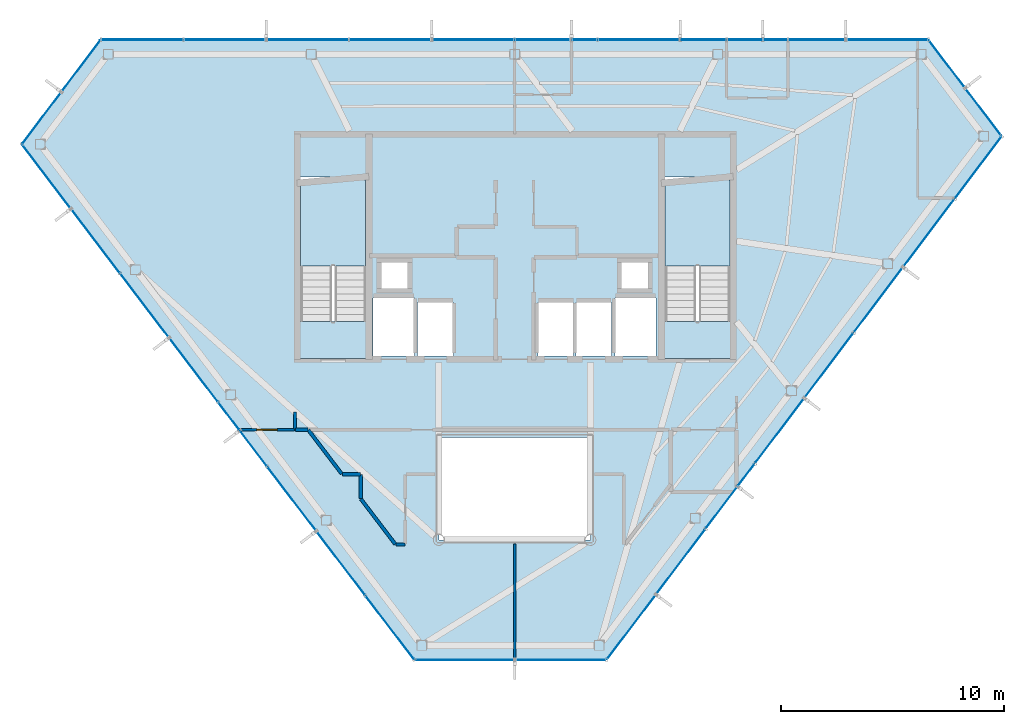
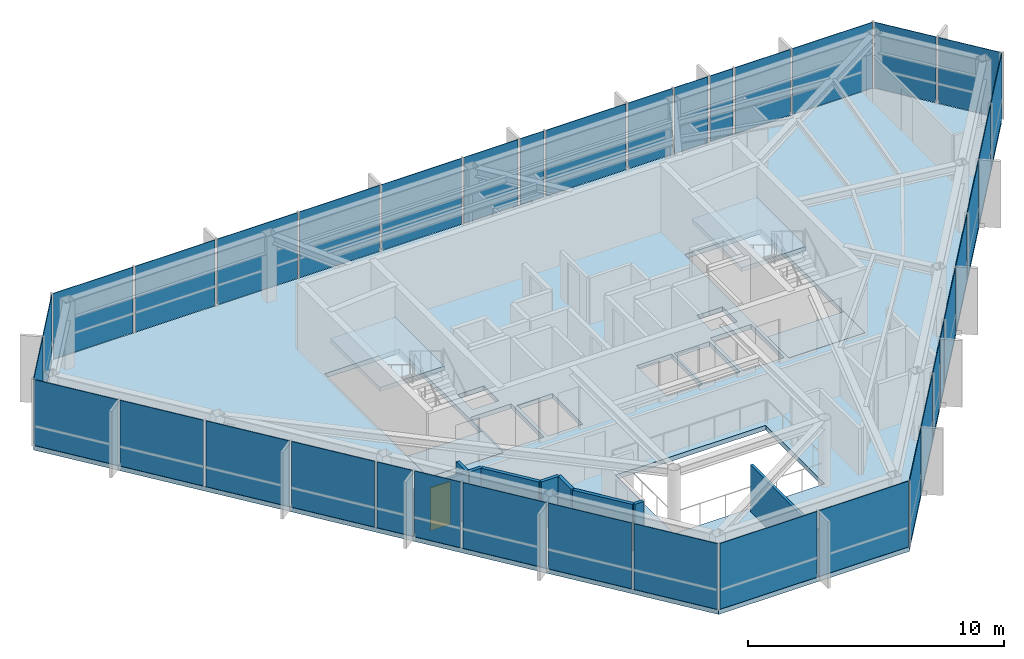
# One storey, part 20 of 23: 37 plates, 9 walls, 5 slabs, 1 door, 1 opening, 8 elements without a shape of their own.
"""IFC4 building model written with IfcOpenShell, lengths in metres."""

from ifc_helpers import new_model, si_unit, direction, frame, frame_2d, origin, origin_2d, place, context, subcontext, project, spatial, polyline, rectangle, outline, extrude, material, layer, layer_set, type_object, element, fill, aggregate, save


model = new_model("IFC4")

# Units and contexts
model_context = context("Model", 3, precision=1e-05, world=origin(), true_north=direction((0.0, 1.0)))
body_context = subcontext(model_context, "Body", "Model", "MODEL_VIEW")
ifc_project = project(units=[si_unit("LENGTHUNIT", "METRE"), si_unit("AREAUNIT", "SQUARE_METRE"), si_unit("VOLUMEUNIT", "CUBIC_METRE"), si_unit("PLANEANGLEUNIT", "RADIAN"), si_unit("MASSUNIT", "GRAM", prefix="KILO")], contexts=[model_context])

# Site, building, storey
site_placement = place(None, origin())
site = spatial("IfcSite", under=ifc_project, at=site_placement, CompositionType="ELEMENT")
building_placement = place(site_placement, origin())
building = spatial("IfcBuilding", under=site, at=building_placement, Name="Zarrinselat Tower", CompositionType="ELEMENT")
storey_placement = place(building_placement, frame((0.0, 0.0, 278.800048828125)))
storey = spatial("IfcBuildingStorey", under=building, at=storey_placement, Name="L71", CompositionType="ELEMENT", Elevation=278.800048828125)

# Curtain wall, plates
ifc_material_1 = material(Name="Extruded Aluminium Alloy EN AW-6063 T6", Category="aluminium")
ifc_layer_1 = layer(ifc_material_1, 0.169921875)
ifc_layer_set_1 = layer_set([ifc_layer_1], Name="Extruded Aluminium Alloy EN AW-6063 T6")
curtain_wall_type_1 = type_object("IfcCurtainWallType", Name="CWS-RES", PredefinedType="NOTDEFINED", material=ifc_layer_set_1)
curtain_wall_1_placement = place(storey_placement, origin())
curtain_wall_1 = element("IfcCurtainWall", 1, at=curtain_wall_1_placement, inside=storey, type_object=curtain_wall_type_1, Name="L71 Unitised Curtain Wall CW-L71-E01", PredefinedType="NOTDEFINED")
ifc_material_2 = material(Name="Double Low-E Laminated Solar Glass", Category="glass")
ifc_layer_2 = layer(ifc_material_2, 0.028076171875)
ifc_layer_set_2 = layer_set([ifc_layer_2], Name="Double Low-E Laminated Solar Glass")
plate_type = type_object("IfcPlateType", Name="PLT-CW-GL28", PredefinedType="CURTAIN_PANEL", material=ifc_layer_set_2)
plate_1_placement = place(storey_placement, frame((55.099853515625, 47.63330078125, 0.02001953125), z_axis=(0.0, 0.0, 1.0), x_axis=(-1.0, 0.0, 0.0)))
plate_1 = element("IfcPlate", 2, at=plate_1_placement, type_object=plate_type, Name="CW-L71-E01 Vision Glass Panel 1", PredefinedType="CURTAIN_PANEL", context=body_context, shape_type="SweptSolid", body=[
    extrude(rectangle(XDim=3.611083984375, YDim=0.028076171875, at=origin_2d()), origin(), (0.0, 0.0, 1.0), 3.139892578125),
])
plate_2_placement = place(storey_placement, frame((51.953369140625, 47.63330078125, 0.02001953125), z_axis=(0.0, 0.0, 1.0), x_axis=(-1.0, 0.0, 0.0)))
plate_2 = element("IfcPlate", 3, at=plate_2_placement, type_object=plate_type, Name="CW-L71-E01 Vision Glass Panel 2", PredefinedType="CURTAIN_PANEL", context=body_context, shape_type="SweptSolid", body=[
    extrude(rectangle(XDim=2.481689453125, YDim=0.028076171875, at=origin_2d()), origin(), (0.0, 0.0, 1.0), 3.139892578125),
])
plate_3_placement = place(storey_placement, frame((50.09765625, 47.63330078125, 0.02001953125), z_axis=(0.0, 0.0, 1.0), x_axis=(-1.0, 0.0, 0.0)))
plate_3 = element("IfcPlate", 4, at=plate_3_placement, type_object=plate_type, Name="CW-L71-E01 Vision Glass Panel 3", PredefinedType="CURTAIN_PANEL", context=body_context, shape_type="SweptSolid", body=[
    extrude(rectangle(XDim=1.029541015625, YDim=0.028076171875, at=origin_2d()), origin(), (0.0, 0.0, 1.0), 3.139892578125),
])
plate_4_placement = place(storey_placement, frame((48.72265625, 47.63330078125, 0.02001953125), z_axis=(0.0, 0.0, 1.0), x_axis=(-1.0, 0.0, 0.0)))
plate_4 = element("IfcPlate", 5, at=plate_4_placement, type_object=plate_type, Name="CW-L71-E01 Vision Glass Panel 4", PredefinedType="CURTAIN_PANEL", context=body_context, shape_type="SweptSolid", body=[
    extrude(rectangle(XDim=1.5205078125, YDim=0.028076171875, at=origin_2d()), origin(), (0.0, 0.0, 1.0), 3.139892578125),
])
plate_5_placement = place(storey_placement, frame((46.8671875, 47.63330078125, 0.02001953125), z_axis=(0.0, 0.0, 1.0), x_axis=(-1.0, 0.0, 0.0)))
plate_5 = element("IfcPlate", 6, at=plate_5_placement, type_object=plate_type, Name="CW-L71-E01 Vision Glass Panel 5", PredefinedType="CURTAIN_PANEL", context=body_context, shape_type="SweptSolid", body=[
    extrude(rectangle(XDim=1.99072265625, YDim=0.028076171875, at=origin_2d()), origin(), (0.0, 0.0, 1.0), 3.139892578125),
])
plate_6_placement = place(storey_placement, frame((43.966064453125, 47.63330078125, 0.02001953125), z_axis=(0.0, 0.0, 1.0), x_axis=(-1.0, 0.0, 0.0)))
plate_6 = element("IfcPlate", 7, at=plate_6_placement, type_object=plate_type, Name="CW-L71-E01 Vision Glass Panel 6", PredefinedType="CURTAIN_PANEL", context=body_context, shape_type="SweptSolid", body=[
    extrude(rectangle(XDim=3.611083984375, YDim=0.028076171875, at=origin_2d()), origin(), (0.0, 0.0, 1.0), 3.139892578125),
])
plate_7_placement = place(storey_placement, frame((41.5302734375, 47.63330078125, 0.02001953125), z_axis=(0.0, 0.0, 1.0), x_axis=(-1.0, 0.0, 0.0)))
plate_7 = element("IfcPlate", 8, at=plate_7_placement, type_object=plate_type, Name="CW-L71-E01 Vision Glass Panel 7", PredefinedType="CURTAIN_PANEL", context=body_context, shape_type="SweptSolid", body=[
    extrude(rectangle(XDim=1.060302734375, YDim=0.028076171875, at=origin_2d()), origin(), (0.0, 0.0, 1.0), 3.139892578125),
])
plate_8_placement = place(storey_placement, frame((39.675048828125, 47.63330078125, 0.02001953125), z_axis=(0.0, 0.0, 1.0), x_axis=(-1.0, 0.0, 0.0)))
plate_8 = element("IfcPlate", 9, at=plate_8_placement, type_object=plate_type, Name="CW-L71-E01 Vision Glass Panel 8", PredefinedType="CURTAIN_PANEL", context=body_context, shape_type="SweptSolid", body=[
    extrude(rectangle(XDim=2.449951171875, YDim=0.028076171875, at=origin_2d()), origin(), (0.0, 0.0, 1.0), 3.139892578125),
])
plate_9_placement = place(storey_placement, frame((36.5439453125, 47.63330078125, 0.02001953125), z_axis=(0.0, 0.0, 1.0), x_axis=(-1.0, 0.0, 0.0)))
plate_9 = element("IfcPlate", 10, at=plate_9_placement, type_object=plate_type, Name="CW-L71-E01 Vision Glass Panel 9", PredefinedType="CURTAIN_PANEL", context=body_context, shape_type="SweptSolid", body=[
    extrude(rectangle(XDim=3.612060546875, YDim=0.028076171875, at=origin_2d()), origin(), (0.0, 0.0, 1.0), 3.139892578125),
])
plate_10_placement = place(storey_placement, frame((32.832275390625, 47.63330078125, 0.02001953125), z_axis=(0.0, 0.0, 1.0), x_axis=(-1.0, 0.0, 0.0)))
plate_10 = element("IfcPlate", 11, at=plate_10_placement, type_object=plate_type, Name="CW-L71-E01 Vision Glass Panel 10", PredefinedType="CURTAIN_PANEL", context=body_context, shape_type="SweptSolid", body=[
    extrude(rectangle(XDim=3.611083984375, YDim=0.028076171875, at=origin_2d()), origin(), (0.0, 0.0, 1.0), 3.139892578125),
])
plate_11_placement = place(storey_placement, frame((29.12109375, 47.63330078125, 0.02001953125), z_axis=(0.0, 0.0, 1.0), x_axis=(-1.0, 0.0, 0.0)))
plate_11 = element("IfcPlate", 12, at=plate_11_placement, type_object=plate_type, Name="CW-L71-E01 Vision Glass Panel 11", PredefinedType="CURTAIN_PANEL", context=body_context, shape_type="SweptSolid", body=[
    extrude(rectangle(XDim=3.611083984375, YDim=0.028076171875, at=origin_2d()), origin(), (0.0, 0.0, 1.0), 3.139892578125),
])
plate_12_placement = place(storey_placement, frame((25.409912109375, 47.63330078125, 0.02001953125), z_axis=(0.0, 0.0, 1.0), x_axis=(-1.0, 0.0, 0.0)))
plate_12 = element("IfcPlate", 13, at=plate_12_placement, type_object=plate_type, Name="CW-L71-E01 Vision Glass Panel 12", PredefinedType="CURTAIN_PANEL", context=body_context, shape_type="SweptSolid", body=[
    extrude(rectangle(XDim=3.611083984375, YDim=0.028076171875, at=origin_2d()), origin(), (0.0, 0.0, 1.0), 3.139892578125),
])
plate_13_placement = place(storey_placement, frame((21.698486328125, 47.63330078125, 0.02001953125), z_axis=(0.0, 0.0, 1.0), x_axis=(-1.0, 0.0, 0.0)))
plate_13 = element("IfcPlate", 14, at=plate_13_placement, type_object=plate_type, Name="CW-L71-E01 Vision Glass Panel 13", PredefinedType="CURTAIN_PANEL", context=body_context, shape_type="SweptSolid", body=[
    extrude(rectangle(XDim=3.611083984375, YDim=0.028076171875, at=origin_2d()), origin(), (0.0, 0.0, 1.0), 3.139892578125),
])
aggregate(curtain_wall_1, [plate_1, plate_2, plate_3, plate_4, plate_5, plate_6, plate_7, plate_8, plate_9, plate_10, plate_11, plate_12, plate_13])

curtain_wall_2_placement = place(storey_placement, origin())
curtain_wall_2 = element("IfcCurtainWall", 15, at=curtain_wall_2_placement, inside=storey, type_object=curtain_wall_type_1, Name="L71 Unitised Curtain Wall CW-L71-E02", PredefinedType="NOTDEFINED")
plate_14_placement = place(storey_placement, frame((18.9580078125, 46.4609375, 0.02001953125), z_axis=(0.0, 0.0, 1.0), x_axis=(-0.602440051683, -0.798164133577, 0.0)))
plate_14 = element("IfcPlate", 16, at=plate_14_placement, type_object=plate_type, Name="CW-L71-E02 Vision Glass Panel 1", PredefinedType="CURTAIN_PANEL", context=body_context, shape_type="SweptSolid", body=[
    extrude(rectangle(XDim=2.837646484375, YDim=0.028076171875, at=origin_2d()), origin(), (0.0, 0.0, 1.0), 3.139892578125),
])
plate_15_placement = place(storey_placement, frame((17.1884765625, 44.1162109375, 0.02001953125), z_axis=(0.0, 0.0, 1.0), x_axis=(-0.602440051683, -0.798164133577, 0.0)))
plate_15 = element("IfcPlate", 17, at=plate_15_placement, type_object=plate_type, Name="CW-L71-E02 Vision Glass Panel 2", PredefinedType="CURTAIN_PANEL", context=body_context, shape_type="SweptSolid", body=[
    extrude(rectangle(XDim=2.837646484375, YDim=0.028076171875, at=origin_2d()), origin(), (0.0, 0.0, 1.0), 3.139892578125),
])
aggregate(curtain_wall_2, [plate_14, plate_15])

curtain_wall_3_placement = place(storey_placement, origin())
curtain_wall_3 = element("IfcCurtainWall", 18, at=curtain_wall_3_placement, inside=storey, type_object=curtain_wall_type_1, Name="L71 Unitised Curtain Wall CW-L71-E03", PredefinedType="NOTDEFINED")
plate_16_placement = place(storey_placement, frame((17.404052734375, 41.498779296875, 0.02001953125), z_axis=(0.0, 0.0, 1.0), x_axis=(0.60576733126, -0.795641841772, 0.0)))
plate_16 = element("IfcPlate", 19, at=plate_16_placement, type_object=plate_type, Name="CW-L71-E03 Vision Glass Panel 1", PredefinedType="CURTAIN_PANEL", context=body_context, shape_type="SweptSolid", body=[
    extrude(rectangle(XDim=3.533203125, YDim=0.028076171875, at=origin_2d()), origin(), (0.0, 0.0, 1.0), 3.139892578125),
])
plate_17_placement = place(storey_placement, frame((19.604736328125, 38.608154296875, 0.02001953125), z_axis=(0.0, 0.0, 1.0), x_axis=(0.60576733126, -0.795641841772, 0.0)))
plate_17 = element("IfcPlate", 20, at=plate_17_placement, type_object=plate_type, Name="CW-L71-E03 Vision Glass Panel 2", PredefinedType="CURTAIN_PANEL", context=body_context, shape_type="SweptSolid", body=[
    extrude(rectangle(XDim=3.533203125, YDim=0.028076171875, at=origin_2d()), origin(), (0.0, 0.0, 1.0), 3.139892578125),
])
plate_18_placement = place(storey_placement, frame((21.8056640625, 35.717529296875, 0.02001953125), z_axis=(0.0, 0.0, 1.0), x_axis=(0.60576733126, -0.795641841772, 0.0)))
plate_18 = element("IfcPlate", 21, at=plate_18_placement, type_object=plate_type, Name="CW-L71-E03 Vision Glass Panel 3", PredefinedType="CURTAIN_PANEL", context=body_context, shape_type="SweptSolid", body=[
    extrude(rectangle(XDim=3.533203125, YDim=0.028076171875, at=origin_2d()), origin(), (0.0, 0.0, 1.0), 3.139892578125),
])
plate_19_placement = place(storey_placement, frame((24.00634765625, 32.826904296875, 0.02001953125), z_axis=(0.0, 0.0, 1.0), x_axis=(0.60576733126, -0.795641841772, 0.0)))
plate_19 = element("IfcPlate", 22, at=plate_19_placement, type_object=plate_type, Name="CW-L71-E03 Vision Glass Panel 4", PredefinedType="CURTAIN_PANEL", context=body_context, shape_type="SweptSolid", body=[
    extrude(rectangle(XDim=3.533203125, YDim=0.028076171875, at=origin_2d()), origin(), (0.0, 0.0, 1.0), 3.139892578125),
])
plate_20_placement = place(storey_placement, frame((25.58935546875, 30.74755859375, 0.02001953125), z_axis=(0.0, 0.0, 1.0), x_axis=(0.60576733126, -0.795641841772, 0.0)))
plate_20 = element("IfcPlate", 23, at=plate_20_placement, type_object=plate_type, Name="CW-L71-E03 Vision Glass Panel 5", PredefinedType="CURTAIN_PANEL", context=body_context, shape_type="SweptSolid", body=[
    extrude(rectangle(XDim=1.493408203125, YDim=0.028076171875, at=origin_2d()), origin(), (0.0, 0.0, 1.0), 3.139892578125),
])
plate_21_placement = place(storey_placement, frame((26.689697265625, 29.30224609375, 0.02001953125), z_axis=(0.0, 0.0, 1.0), x_axis=(0.60576733126, -0.795641841772, 0.0)))
plate_21 = element("IfcPlate", 24, at=plate_21_placement, type_object=plate_type, Name="CW-L71-E03 Vision Glass Panel 6", PredefinedType="CURTAIN_PANEL", context=body_context, shape_type="SweptSolid", body=[
    extrude(rectangle(XDim=1.939453125, YDim=0.028076171875, at=origin_2d()), origin(), (0.0, 0.0, 1.0), 3.139892578125),
])
plate_22_placement = place(storey_placement, frame((28.407958984375, 27.045654296875, 0.02001953125), z_axis=(0.0, 0.0, 1.0), x_axis=(0.60576733126, -0.795641841772, 0.0)))
plate_22 = element("IfcPlate", 25, at=plate_22_placement, type_object=plate_type, Name="CW-L71-E03 Vision Glass Panel 7", PredefinedType="CURTAIN_PANEL", context=body_context, shape_type="SweptSolid", body=[
    extrude(rectangle(XDim=3.533203125, YDim=0.028076171875, at=origin_2d()), origin(), (0.0, 0.0, 1.0), 3.139892578125),
])
plate_23_placement = place(storey_placement, frame((30.608642578125, 24.155029296875, 0.02001953125), z_axis=(0.0, 0.0, 1.0), x_axis=(0.60576733126, -0.795641841772, 0.0)))
plate_23 = element("IfcPlate", 26, at=plate_23_placement, type_object=plate_type, Name="CW-L71-E03 Vision Glass Panel 8", PredefinedType="CURTAIN_PANEL", context=body_context, shape_type="SweptSolid", body=[
    extrude(rectangle(XDim=3.533203125, YDim=0.028076171875, at=origin_2d()), origin(), (0.0, 0.0, 1.0), 3.139892578125),
])
plate_24_placement = place(storey_placement, frame((32.8095703125, 21.264404296875, 0.02001953125), z_axis=(0.0, 0.0, 1.0), x_axis=(0.60576733126, -0.795641841772, 0.0)))
plate_24 = element("IfcPlate", 27, at=plate_24_placement, type_object=plate_type, Name="CW-L71-E03 Vision Glass Panel 9", PredefinedType="CURTAIN_PANEL", context=body_context, shape_type="SweptSolid", body=[
    extrude(rectangle(XDim=3.533203125, YDim=0.028076171875, at=origin_2d()), origin(), (0.0, 0.0, 1.0), 3.139892578125),
])
aggregate(curtain_wall_3, [plate_16, plate_17, plate_18, plate_19, plate_20, plate_21, plate_22, plate_23, plate_24])

curtain_wall_4_placement = place(storey_placement, origin())
curtain_wall_4 = element("IfcCurtainWall", 28, at=curtain_wall_4_placement, inside=storey, type_object=curtain_wall_type_1, Name="L71 Unitised Curtain Wall CW-L71-E04", PredefinedType="NOTDEFINED")
plate_25_placement = place(storey_placement, frame((36.15478515625, 19.819091796875, 0.02001953125), z_axis=(0.0, 0.0, 1.0), x_axis=(1.0, 0.0, 0.0)))
plate_25 = element("IfcPlate", 29, at=plate_25_placement, type_object=plate_type, Name="CW-L71-E04 Vision Glass Panel 1", PredefinedType="CURTAIN_PANEL", context=body_context, shape_type="SweptSolid", body=[
    extrude(rectangle(XDim=4.39013671875, YDim=0.028076171875, at=origin_2d()), origin(), (0.0, 0.0, 1.0), 3.139892578125),
])
plate_26_placement = place(storey_placement, frame((40.46142578125, 19.819091796875, 0.02001953125), z_axis=(0.0, 0.0, 1.0), x_axis=(1.0, 0.0, 0.0)))
plate_26 = element("IfcPlate", 30, at=plate_26_placement, type_object=plate_type, Name="CW-L71-E04 Vision Glass Panel 2", PredefinedType="CURTAIN_PANEL", context=body_context, shape_type="SweptSolid", body=[
    extrude(rectangle(XDim=4.022705078125, YDim=0.028076171875, at=origin_2d()), origin(), (0.0, 0.0, 1.0), 3.139892578125),
])
aggregate(curtain_wall_4, [plate_25, plate_26])

ifc_material_3 = material(Name="Extruded Aluminium Alloy EN AW-6063 T6", Category="aluminium")
ifc_layer_3 = layer(ifc_material_3, 0.199951171875)
ifc_layer_set_3 = layer_set([ifc_layer_3], Name="Extruded Aluminium Alloy EN AW-6063 T6")
curtain_wall_type_2 = type_object("IfcCurtainWallType", Name="CWS-BLADE", PredefinedType="NOTDEFINED", material=ifc_layer_set_3)
curtain_wall_5_placement = place(storey_placement, origin())
curtain_wall_5 = element("IfcCurtainWall", 31, at=curtain_wall_5_placement, inside=storey, type_object=curtain_wall_type_2, Name="L71 Unitised Curtain Wall CW-L71-E05", PredefinedType="NOTDEFINED")
plate_27_placement = place(storey_placement, frame((43.630859375, 21.287109375, 0.02001953125), z_axis=(0.0, 0.0, 1.0), x_axis=(0.602445101176, 0.798160322284, 0.0)))
plate_27 = element("IfcPlate", 32, at=plate_27_placement, type_object=plate_type, Name="CW-L71-E05 Vision Glass Panel 1", PredefinedType="CURTAIN_PANEL", context=body_context, shape_type="SweptSolid", body=[
    extrude(rectangle(XDim=3.578125, YDim=0.028076171875, at=origin_2d()), origin(), (0.0, 0.0, 1.0), 3.139892578125),
])
plate_28_placement = place(storey_placement, frame((45.8466796875, 24.222900390625, 0.02001953125), z_axis=(0.0, 0.0, 1.0), x_axis=(0.602445101176, 0.798160322284, 0.0)))
plate_28 = element("IfcPlate", 33, at=plate_28_placement, type_object=plate_type, Name="CW-L71-E05 Vision Glass Panel 2", PredefinedType="CURTAIN_PANEL", context=body_context, shape_type="SweptSolid", body=[
    extrude(rectangle(XDim=3.578125, YDim=0.028076171875, at=origin_2d()), origin(), (0.0, 0.0, 1.0), 3.139892578125),
])
plate_29_placement = place(storey_placement, frame((47.67626953125, 26.646728515625, 0.02001953125), z_axis=(0.0, 0.0, 1.0), x_axis=(0.602445101176, 0.798160322284, 0.0)))
plate_29 = element("IfcPlate", 34, at=plate_29_placement, type_object=plate_type, Name="CW-L71-E05 Vision Glass Panel 3", PredefinedType="CURTAIN_PANEL", context=body_context, shape_type="SweptSolid", body=[
    extrude(rectangle(XDim=2.295654296875, YDim=0.028076171875, at=origin_2d()), origin(), (0.0, 0.0, 1.0), 3.139892578125),
])
plate_30_placement = place(storey_placement, frame((48.7841796875, 28.11474609375, 0.02001953125), z_axis=(0.0, 0.0, 1.0), x_axis=(0.602445101176, 0.798160322284, 0.0)))
plate_30 = element("IfcPlate", 35, at=plate_30_placement, type_object=plate_type, Name="CW-L71-E05 Vision Glass Panel 4", PredefinedType="CURTAIN_PANEL", context=body_context, shape_type="SweptSolid", body=[
    extrude(rectangle(XDim=1.1826171875, YDim=0.028076171875, at=origin_2d()), origin(), (0.0, 0.0, 1.0), 3.139892578125),
])
plate_31_placement = place(storey_placement, frame((50.278564453125, 30.094482421875, 0.02001953125), z_axis=(0.0, 0.0, 1.0), x_axis=(0.602445101176, 0.798160322284, 0.0)))
plate_31 = element("IfcPlate", 36, at=plate_31_placement, type_object=plate_type, Name="CW-L71-E05 Vision Glass Panel 5", PredefinedType="CURTAIN_PANEL", context=body_context, shape_type="SweptSolid", body=[
    extrude(rectangle(XDim=3.578125, YDim=0.028076171875, at=origin_2d()), origin(), (0.0, 0.0, 1.0), 3.139892578125),
])
plate_32_placement = place(storey_placement, frame((52.494384765625, 33.0302734375, 0.02001953125), z_axis=(0.0, 0.0, 1.0), x_axis=(0.602445101176, 0.798160322284, 0.0)))
plate_32 = element("IfcPlate", 37, at=plate_32_placement, type_object=plate_type, Name="CW-L71-E05 Vision Glass Panel 6", PredefinedType="CURTAIN_PANEL", context=body_context, shape_type="SweptSolid", body=[
    extrude(rectangle(XDim=3.578125, YDim=0.028076171875, at=origin_2d()), origin(), (0.0, 0.0, 1.0), 3.139892578125),
])
plate_33_placement = place(storey_placement, frame((54.71044921875, 35.966064453125, 0.02001953125), z_axis=(0.0, 0.0, 1.0), x_axis=(0.602445101176, 0.798160322284, 0.0)))
plate_33 = element("IfcPlate", 38, at=plate_33_placement, type_object=plate_type, Name="CW-L71-E05 Vision Glass Panel 7", PredefinedType="CURTAIN_PANEL", context=body_context, shape_type="SweptSolid", body=[
    extrude(rectangle(XDim=3.578125, YDim=0.028076171875, at=origin_2d()), origin(), (0.0, 0.0, 1.0), 3.139892578125),
])
plate_34_placement = place(storey_placement, frame((56.97509765625, 38.966552734375, 0.02001953125), z_axis=(0.0, 0.0, 1.0), x_axis=(0.602445101176, 0.798160322284, 0.0)))
plate_34 = element("IfcPlate", 39, at=plate_34_placement, type_object=plate_type, Name="CW-L71-E05 Vision Glass Panel 8", PredefinedType="CURTAIN_PANEL", context=body_context, shape_type="SweptSolid", body=[
    extrude(rectangle(XDim=3.739990234375, YDim=0.028076171875, at=origin_2d()), origin(), (0.0, 0.0, 1.0), 3.139892578125),
])
plate_35_placement = place(storey_placement, frame((59.19091796875, 41.90234375, 0.02001953125), z_axis=(0.0, 0.0, 1.0), x_axis=(0.602445101176, 0.798160322284, 0.0)))
plate_35 = element("IfcPlate", 40, at=plate_35_placement, type_object=plate_type, Name="CW-L71-E05 Vision Glass Panel 9", PredefinedType="CURTAIN_PANEL", context=body_context, shape_type="SweptSolid", body=[
    extrude(rectangle(XDim=3.41650390625, YDim=0.028076171875, at=origin_2d()), origin(), (0.0, 0.0, 1.0), 3.139892578125),
])
aggregate(curtain_wall_5, [plate_27, plate_28, plate_29, plate_30, plate_31, plate_32, plate_33, plate_34, plate_35])

curtain_wall_6_placement = place(storey_placement, origin())
curtain_wall_6 = element("IfcCurtainWall", 41, at=curtain_wall_6_placement, inside=storey, type_object=curtain_wall_type_1, Name="L71 Unitised Curtain Wall CW-L71-E06", PredefinedType="NOTDEFINED")
plate_36_placement = place(storey_placement, frame((59.426513671875, 44.3876953125, 0.02001953125), z_axis=(0.0, 0.0, 1.0), x_axis=(-0.605773416753, 0.795637208503, 0.0)))
plate_36 = element("IfcPlate", 42, at=plate_36_placement, type_object=plate_type, Name="CW-L71-E06 Vision Glass Panel 1", PredefinedType="CURTAIN_PANEL", context=body_context, shape_type="SweptSolid", body=[
    extrude(rectangle(XDim=2.61962890625, YDim=0.028076171875, at=origin_2d()), origin(), (0.0, 0.0, 1.0), 3.139892578125),
])
plate_37_placement = place(storey_placement, frame((57.779052734375, 46.551513671875, 0.02001953125), z_axis=(0.0, 0.0, 1.0), x_axis=(-0.605773416753, 0.795637208503, 0.0)))
plate_37 = element("IfcPlate", 43, at=plate_37_placement, type_object=plate_type, Name="CW-L71-E06 Vision Glass Panel 2", PredefinedType="CURTAIN_PANEL", context=body_context, shape_type="SweptSolid", body=[
    extrude(rectangle(XDim=2.61962890625, YDim=0.028076171875, at=origin_2d()), origin(), (0.0, 0.0, 1.0), 3.139892578125),
])
aggregate(curtain_wall_6, [plate_36, plate_37])

# Slabs
ifc_material_4 = material(Name="Concrete C40/50", Category="concrete")
ifc_layer_4 = layer(ifc_material_4, 0.219970703125)
ifc_layer_set_4 = layer_set([ifc_layer_4], Name="Concrete C40/50")
slab_type_1 = type_object("IfcSlabType", Name="SLB-FLOOR-220-SL-RS220", PredefinedType="FLOOR", material=ifc_layer_set_4)
slab_1_placement = place(storey_placement, frame((0.0, 0.0, -0.219970703125)))
element("IfcSlab", 44, at=slab_1_placement, inside=storey, type_object=slab_type_1, Name="L71 Primary Structural Slab", PredefinedType="FLOOR", context=body_context, shape_type="SweptSolid", body=[
    extrude(outline(polyline([(56.955322265625, 47.63330078125), (19.843017578125, 47.63330078125), (16.3037109375, 42.944091796875), (33.909912109375, 19.819091796875), (42.522705078125, 19.819091796875), (60.250244140625, 43.3056640625), (56.955322265625, 47.63330078125)]), holes=[polyline([(41.800048828125, 25.199951171875), (35.0, 25.199951171875), (35.0, 29.800048828125), (41.800048828125, 29.800048828125), (41.800048828125, 25.199951171875)]), polyline([(35.64990234375, 33.449951171875), (34.050048828125, 33.449951171875), (34.050048828125, 35.85009765625), (35.64990234375, 35.85009765625), (35.64990234375, 33.449951171875)]), polyline([(41.050048828125, 33.449951171875), (39.449951171875, 33.449951171875), (39.449951171875, 35.85009765625), (41.050048828125, 35.85009765625), (41.050048828125, 33.449951171875)]), polyline([(41.14990234375, 33.449951171875), (41.14990234375, 35.85009765625), (42.75, 35.85009765625), (42.75, 33.449951171875), (41.14990234375, 33.449951171875)]), polyline([(32.06005859375, 33.449951171875), (32.06005859375, 36.050048828125), (33.89990234375, 36.050048828125), (33.89990234375, 33.449951171875), (32.06005859375, 33.449951171875)]), polyline([(44.739990234375, 33.449951171875), (42.89990234375, 33.449951171875), (42.89990234375, 36.050048828125), (44.739990234375, 36.050048828125), (44.739990234375, 33.449951171875)]), polyline([(33.60009765625, 36.47998046875), (32.419921875, 36.47998046875), (32.419921875, 37.639892578125), (33.60009765625, 37.639892578125), (33.60009765625, 36.47998046875)]), polyline([(44.3798828125, 36.47998046875), (43.199951171875, 36.47998046875), (43.199951171875, 37.639892578125), (44.3798828125, 37.639892578125), (44.3798828125, 36.47998046875)]), polyline([(31.985107421875, 33.324951171875), (28.60498046875, 33.324951171875), (28.60498046875, 41.47509765625), (31.985107421875, 41.47509765625), (31.985107421875, 33.324951171875)]), polyline([(48.324951171875, 33.324951171875), (44.875, 33.324951171875), (44.875, 41.47509765625), (48.324951171875, 41.47509765625), (48.324951171875, 33.324951171875)])]), origin(), (0.0, 0.0, 1.0), 0.219970703125),
])
slab_2_placement = place(storey_placement, frame((0.0, 0.0, -0.219970703125)))
element("IfcSlab", 45, at=slab_2_placement, inside=storey, type_object=slab_type_1, Name="L71 Stair ST-1-FL1 Structural Floor Landing", PredefinedType="FLOOR", context=body_context, shape_type="SweptSolid", body=[
    extrude(outline(polyline([(31.97998046875, 33.330078125), (31.97998046875, 35.0), (28.610107421875, 35.0), (28.610107421875, 33.330078125), (31.97998046875, 33.330078125)])), origin(), (0.0, 0.0, 1.0), 0.219970703125),
])
slab_3_placement = place(storey_placement, frame((0.0, 0.0, -0.219970703125)))
element("IfcSlab", 46, at=slab_3_placement, inside=storey, type_object=slab_type_1, Name="L71 Stair ST-2-FL1 Structural Floor Landing", PredefinedType="FLOOR", context=body_context, shape_type="SweptSolid", body=[
    extrude(outline(polyline([(48.320068359375, 33.330078125), (48.320068359375, 35.0), (44.8798828125, 35.0), (44.8798828125, 33.330078125), (48.320068359375, 33.330078125)])), origin(), (0.0, 0.0, 1.0), 0.219970703125),
])

# Stair, slab
ifc_material_5 = material(Name="Concrete C40/50", Category="concrete")
stair_type = type_object("IfcStairType", Name="STR-CORE-155", PredefinedType="HALF_TURN_STAIR", material=ifc_material_5)
stair_1_placement = place(storey_placement, origin())
stair_1 = element("IfcStair", 47, at=stair_1_placement, inside=storey, type_object=stair_type, Name="L71 Core Exit Stair 1", PredefinedType="HALF_TURN_STAIR")
ifc_material_6 = material(Name="Concrete C40/50", Category="concrete")
ifc_layer_5 = layer(ifc_material_6, 0.18994140625)
ifc_layer_set_5 = layer_set([ifc_layer_5], Name="Concrete C40/50")
slab_type_2 = type_object("IfcSlabType", Name="SLB-LND-190", PredefinedType="LANDING", material=ifc_layer_set_5)
slab_4_placement = place(storey_placement, frame((0.0, 0.0, 1.5)))
slab_4 = element("IfcSlab", 48, at=slab_4_placement, type_object=slab_type_2, Name="ST-1 landing 1", PredefinedType="LANDING", context=body_context, shape_type="SweptSolid", body=[
    extrude(outline(polyline([(31.719970703125, 37.47998046875), (31.719970703125, 41.35009765625), (28.800048828125, 41.35009765625), (28.800048828125, 37.47998046875), (31.719970703125, 37.47998046875)])), origin(), (0.0, 0.0, 1.0), 0.199951171875),
])
aggregate(stair_1, [slab_4])

stair_2_placement = place(storey_placement, origin())
stair_2 = element("IfcStair", 49, at=stair_2_placement, inside=storey, type_object=stair_type, Name="L71 Core Exit Stair 2", PredefinedType="HALF_TURN_STAIR")
slab_5_placement = place(storey_placement, frame((0.0, 0.0, 1.5)))
slab_5 = element("IfcSlab", 50, at=slab_5_placement, type_object=slab_type_2, Name="ST-2 landing 1", PredefinedType="LANDING", context=body_context, shape_type="SweptSolid", body=[
    extrude(outline(polyline([(48.06005859375, 37.47998046875), (48.06005859375, 41.35009765625), (45.139892578125, 41.35009765625), (45.139892578125, 37.47998046875), (48.06005859375, 37.47998046875)])), origin(), (0.0, 0.0, 1.0), 0.199951171875),
])
aggregate(stair_2, [slab_5])

# Walls
ifc_material_7 = material(Name="Fire-Rated Gypsum Board Partition", Category="gypsum")
ifc_layer_6 = layer(ifc_material_7, 0.14990234375)
ifc_layer_set_6 = layer_set([ifc_layer_6], Name="Fire-Rated Gypsum Board Partition")
wall_type_1 = type_object("IfcWallType", Name="WAL-PART-EI60", PredefinedType="PARTITIONING", material=ifc_layer_set_6)
wall_1_placement = place(storey_placement, frame((28.570068359375, 30.14990234375, 0.0), z_axis=(0.0, 0.0, 1.0), x_axis=(1.0, 0.0, 0.0)))
element("IfcWall", 51, at=wall_1_placement, inside=storey, type_object=wall_type_1, Name="L71 Partition Wall 15", PredefinedType="PARTITIONING", context=body_context, shape_type="SweptSolid", body=[
    extrude(rectangle(XDim=0.56494140625, YDim=0.14990234375, at=frame_2d((0.282470703125, 0.0))), origin(), (0.0, 0.0, 1.0), 2.23486328125),
])
wall_2_placement = place(storey_placement, frame((28.550048828125, 30.169921875, 0.0), z_axis=(0.0, 0.0, 1.0), x_axis=(0.0, 1.0, 0.0)))
element("IfcWall", 52, at=wall_2_placement, inside=storey, type_object=wall_type_1, Name="L71 Partition Wall 17", PredefinedType="PARTITIONING", context=body_context, shape_type="SweptSolid", body=[
    extrude(rectangle(XDim=0.77490234375, YDim=0.14990234375, at=frame_2d((0.387451171875, 0.0))), origin(), (0.0, 0.0, 1.0), 2.23486328125),
])
wall_3_placement = place(storey_placement, frame((33.0771484375, 25.0, 0.0), z_axis=(0.0, 0.0, 1.0), x_axis=(1.0, 0.0, 0.0)))
element("IfcWall", 53, at=wall_3_placement, inside=storey, type_object=wall_type_1, Name="L71 Partition Wall 26", PredefinedType="PARTITIONING", context=body_context, shape_type="SweptSolid", body=[
    extrude(rectangle(XDim=0.40283203125, YDim=0.14990234375, at=frame_2d((0.201416015625, 0.0))), origin(), (0.0, 0.0, 1.0), 2.23486328125),
])
wall_4_placement = place(storey_placement, frame((31.51220703125, 27.029296875, 0.0), z_axis=(0.0, 0.0, 1.0), x_axis=(0.60577285366, -0.795637637225, 0.0)))
element("IfcWall", 54, at=wall_4_placement, inside=storey, type_object=wall_type_1, Name="L71 Partition Wall 27", PredefinedType="PARTITIONING", context=body_context, shape_type="SweptSolid", body=[
    extrude(rectangle(XDim=2.530517578125, YDim=0.14990234375, at=frame_2d((1.26513671875, 0.0))), origin(), (0.0, 0.0, 1.0), 2.23486328125),
])
wall_5_placement = place(storey_placement, frame((31.5, 27.065185546875, 0.0), z_axis=(0.0, 0.0, 1.0), x_axis=(0.0, 1.0, 0.0)))
element("IfcWall", 55, at=wall_5_placement, inside=storey, type_object=wall_type_1, Name="L71 Partition Wall 28", PredefinedType="PARTITIONING", context=body_context, shape_type="SweptSolid", body=[
    extrude(rectangle(XDim=1.064697265625, YDim=0.14990234375, at=frame_2d((0.5322265625, 0.0))), origin(), (0.0, 0.0, 1.0), 2.23486328125),
])
wall_6_placement = place(storey_placement, frame((30.678955078125, 28.14990234375, 0.0), z_axis=(0.0, 0.0, 1.0), x_axis=(1.0, 0.0, 0.0)))
element("IfcWall", 56, at=wall_6_placement, inside=storey, type_object=wall_type_1, Name="L71 Partition Wall 29", PredefinedType="PARTITIONING", context=body_context, shape_type="SweptSolid", body=[
    extrude(rectangle(XDim=0.801025390625, YDim=0.14990234375, at=frame_2d((0.400390625, 0.0))), origin(), (0.0, 0.0, 1.0), 2.23486328125),
])
wall_7_placement = place(storey_placement, frame((29.148193359375, 30.134033203125, 0.0), z_axis=(0.0, 0.0, 1.0), x_axis=(0.605873710815, -0.795560837739, 0.0)))
element("IfcWall", 57, at=wall_7_placement, inside=storey, type_object=wall_type_1, Name="L71 Partition Wall 30", PredefinedType="PARTITIONING", context=body_context, shape_type="SweptSolid", body=[
    extrude(rectangle(XDim=2.4736328125, YDim=0.14990234375, at=frame_2d((1.23681640625, 0.0))), origin(), (0.0, 0.0, 1.0), 2.23486328125),
])
ifc_material_8 = material(Name="Fire-Rated Gypsum Board Partition", Category="gypsum")
ifc_layer_7 = layer(ifc_material_8, 0.1201171875)
ifc_layer_set_7 = layer_set([ifc_layer_7], Name="Fire-Rated Gypsum Board Partition")
wall_type_2 = type_object("IfcWallType", Name="WAL-PART-STD", PredefinedType="PARTITIONING", material=ifc_layer_set_7)
wall_8_placement = place(storey_placement, frame((38.39990234375, 19.833984375, 0.0), z_axis=(0.0, 0.0, 1.0), x_axis=(0.0, 1.0, 0.0)))
element("IfcWall", 58, at=wall_8_placement, inside=storey, type_object=wall_type_2, Name="L71 Partition Wall 31", PredefinedType="PARTITIONING", context=body_context, shape_type="SweptSolid", body=[
    extrude(rectangle(XDim=5.18603515625, YDim=0.1201171875, at=frame_2d((2.593017578125, 0.0))), origin(), (0.0, 0.0, 1.0), 2.23486328125),
])

# Wall, opening, door
wall_9_placement = place(storey_placement, frame((26.059326171875, 30.14990234375, 0.0), z_axis=(0.0, 0.0, 1.0), x_axis=(1.0, 0.0, 0.0)))
wall_9 = element("IfcWall", 59, at=wall_9_placement, inside=storey, type_object=wall_type_2, Name="L71 Partition Wall 32", PredefinedType="PARTITIONING", context=body_context, shape_type="SweptSolid", body=[
    extrude(rectangle(XDim=2.470703125, YDim=0.1201171875, at=frame_2d((1.2353515625, 0.0))), origin(), (0.0, 0.0, 1.0), 2.23486328125),
])
opening_placement = place(wall_9_placement, frame((0.785400390625, 0.0, 0.0)))
opening = element("IfcOpeningElement", 60, at=opening_placement, cuts=wall_9, Name="Opening ID-05", PredefinedType="OPENING", context=body_context, shape_type="SweptSolid", body=[
    extrude(rectangle(XDim=0.89990234375, YDim=2.050048828125, at=frame_2d((0.449951171875, 1.02490234375))), frame((0.0, 0.070068359375, 0.0), z_axis=(0.0, -1.0, 0.0), x_axis=(1.0, 0.0, 0.0)), (0.0, 0.0, 1.0), 0.14013671875),
])
ifc_material_9 = material(Name="Extruded Aluminium Alloy EN AW-6063 T6", Category="aluminium")
door_type = type_object("IfcDoorType", Name="DR-INT-STD-920", OperationType="NOTDEFINED", PredefinedType="DOOR", material=ifc_material_9)
door_placement = place(opening_placement, origin())
door = element("IfcDoor", 61, at=door_placement, inside=storey, type_object=door_type, Name="L71 Interior Door P32", OperationType="SINGLE_SWING_RIGHT", OverallHeight=2.050048828125, OverallWidth=0.89990234375, PredefinedType="DOOR", context=body_context, shape_type="SweptSolid", body=[
    extrude(rectangle(XDim=0.89990234375, YDim=2.050048828125, at=frame_2d((0.449951171875, 1.02490234375))), frame((0.0, 0.02490234375, 0.0), z_axis=(0.0, -1.0, 0.0), x_axis=(1.0, 0.0, 0.0)), (0.0, 0.0, 1.0), 0.050048828125),
])
fill(opening, door)

save(model, "model.ifc")
